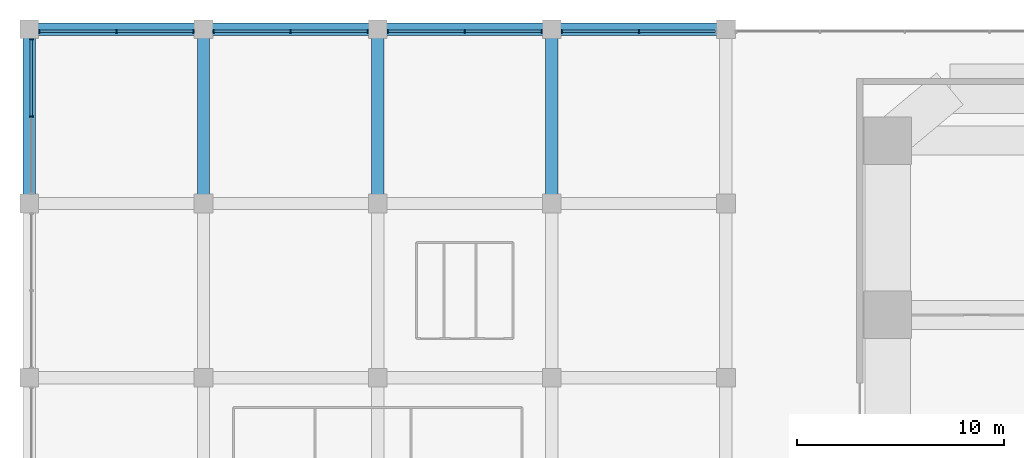
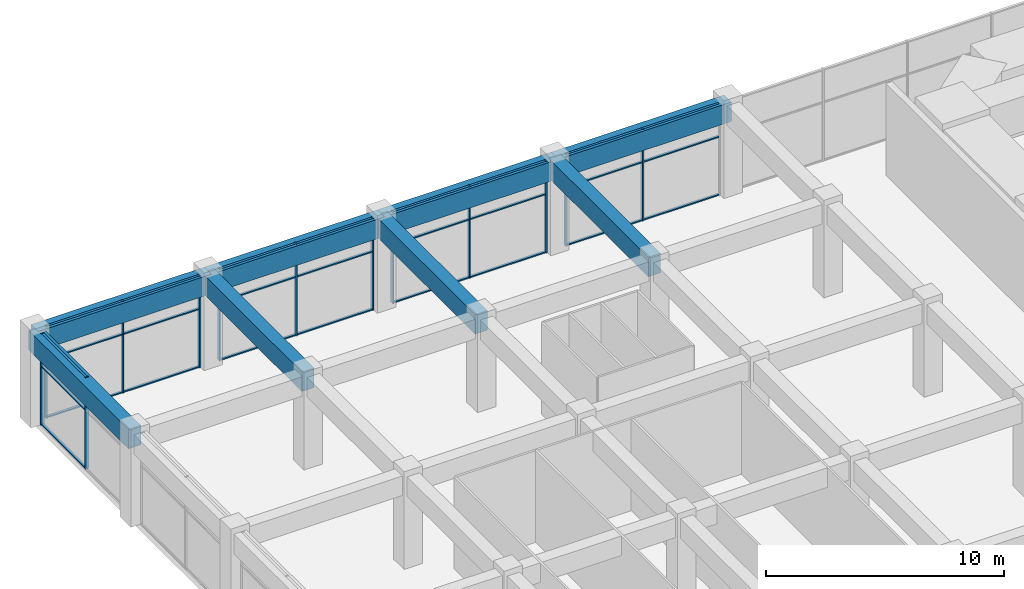
# One storey, part 18 of 36: 40 members, 8 beams, 5 elements without a shape of their own.
"""IFC4 building model written with IfcOpenShell, lengths in metres."""

from ifc_helpers import new_model, si_unit, direction, frame, origin, origin_2d, place, context, subcontext, project, spatial, rectangle, extrude, material, material_profile, profile_set, type_object, element, aggregate, save


model = new_model("IFC4")

# Units and contexts
model_context = context("Model", 3, precision=1e-05, world=origin(), true_north=direction((0.0, 1.0)))
body_context = subcontext(model_context, "Body", "Model", "MODEL_VIEW")
ifc_project = project(units=[si_unit("LENGTHUNIT", "METRE"), si_unit("AREAUNIT", "SQUARE_METRE"), si_unit("VOLUMEUNIT", "CUBIC_METRE"), si_unit("PLANEANGLEUNIT", "RADIAN"), si_unit("MASSUNIT", "GRAM", prefix="KILO")], contexts=[model_context])

# Site, building, storey
site_placement = place(None, origin())
site = spatial("IfcSite", under=ifc_project, at=site_placement, CompositionType="ELEMENT")
building_placement = place(site_placement, origin())
building = spatial("IfcBuilding", under=site, at=building_placement, Name="Impinga Residences", CompositionType="ELEMENT")
storey_placement = place(building_placement, frame((0.0, 0.0, 6.0)))
storey = spatial("IfcBuildingStorey", under=building, at=storey_placement, Name="L01", CompositionType="ELEMENT", Elevation=6.0)

# Curtain wall, members
ifc_material_1 = material(Name="Aluminium stick curtain wall", Category="aluminium")
curtain_wall_type = type_object("IfcCurtainWallType", Name="CW1 podium amenity curtain wall", PredefinedType="USERDEFINED", material=ifc_material_1)
curtain_wall_1_placement = place(storey_placement, origin())
curtain_wall_1 = element("IfcCurtainWall", 1, at=curtain_wall_1_placement, inside=storey, type_object=curtain_wall_type, Name="Curtain wall CW1 L01", ObjectType="STICK CURTAIN WALL", PredefinedType="USERDEFINED")
ifc_material_2 = material(Name="Aluminium mullion", Category="aluminium")
ifc_material_profile_1 = material_profile(ifc_material_2, rectangle(XDim=0.06005859375, YDim=0.179931640625, at=origin_2d()), Name="60x180 mullion")
ifc_profile_set_1 = profile_set([ifc_material_profile_1], Name="Aluminium mullion")
member_type_1 = type_object("IfcMemberType", Name="CW1-M mullion 60x180", PredefinedType="MULLION", material=ifc_profile_set_1)
member_1_placement = place(storey_placement, frame((-50.300048828125, 46.199951171875, 0.0), z_axis=(0.0, 0.0, 1.0), x_axis=(0.0, 1.0, 0.0)))
member_1 = element("IfcMember", 2, at=member_1_placement, type_object=member_type_1, Name="CW1 mullion 2", PredefinedType="MULLION", context=body_context, shape_type="SweptSolid", body=[
    extrude(rectangle(XDim=0.06005859375, YDim=0.179931640625, at=origin_2d()), origin(), (0.0, 0.0, 1.0), 4.699951171875),
])
member_2_placement = place(storey_placement, frame((-50.300048828125, 49.9169921875, 0.0), z_axis=(0.0, 0.0, 1.0), x_axis=(0.0, 1.0, 0.0)))
member_2 = element("IfcMember", 3, at=member_2_placement, type_object=member_type_1, Name="CW1 mullion 3", PredefinedType="MULLION", context=body_context, shape_type="SweptSolid", body=[
    extrude(rectangle(XDim=0.06005859375, YDim=0.179931640625, at=origin_2d()), origin(), (0.0, 0.0, 1.0), 4.699951171875),
])

curtain_wall_2_placement = place(storey_placement, origin())
curtain_wall_2 = element("IfcCurtainWall", 4, at=curtain_wall_2_placement, inside=storey, type_object=curtain_wall_type, Name="Curtain wall CW1 L01", ObjectType="STICK CURTAIN WALL", PredefinedType="USERDEFINED")
member_3_placement = place(storey_placement, frame((-49.9169921875, 50.300048828125, 0.0), z_axis=(0.0, 0.0, 1.0), x_axis=(1.0, 0.0, 0.0)))
member_3 = element("IfcMember", 5, at=member_3_placement, type_object=member_type_1, Name="CW1 mullion 1", PredefinedType="MULLION", context=body_context, shape_type="SweptSolid", body=[
    extrude(rectangle(XDim=0.06005859375, YDim=0.179931640625, at=origin_2d()), origin(), (0.0, 0.0, 1.0), 4.699951171875),
])
member_4_placement = place(storey_placement, frame((-46.199951171875, 50.300048828125, 0.0), z_axis=(0.0, 0.0, 1.0), x_axis=(1.0, 0.0, 0.0)))
member_4 = element("IfcMember", 6, at=member_4_placement, type_object=member_type_1, Name="CW1 mullion 2", PredefinedType="MULLION", context=body_context, shape_type="SweptSolid", body=[
    extrude(rectangle(XDim=0.06005859375, YDim=0.179931640625, at=origin_2d()), origin(), (0.0, 0.0, 1.0), 4.699951171875),
])
member_5_placement = place(storey_placement, frame((-42.48291015625, 50.300048828125, 0.0), z_axis=(0.0, 0.0, 1.0), x_axis=(1.0, 0.0, 0.0)))
member_5 = element("IfcMember", 7, at=member_5_placement, type_object=member_type_1, Name="CW1 mullion 3", PredefinedType="MULLION", context=body_context, shape_type="SweptSolid", body=[
    extrude(rectangle(XDim=0.06005859375, YDim=0.179931640625, at=origin_2d()), origin(), (0.0, 0.0, 1.0), 4.699951171875),
])

curtain_wall_3_placement = place(storey_placement, origin())
curtain_wall_3 = element("IfcCurtainWall", 8, at=curtain_wall_3_placement, inside=storey, type_object=curtain_wall_type, Name="Curtain wall CW1 L01", ObjectType="STICK CURTAIN WALL", PredefinedType="USERDEFINED")
member_6_placement = place(storey_placement, frame((-41.51708984375, 50.300048828125, 0.0), z_axis=(0.0, 0.0, 1.0), x_axis=(1.0, 0.0, 0.0)))
member_6 = element("IfcMember", 9, at=member_6_placement, type_object=member_type_1, Name="CW1 mullion 1", PredefinedType="MULLION", context=body_context, shape_type="SweptSolid", body=[
    extrude(rectangle(XDim=0.06005859375, YDim=0.179931640625, at=origin_2d()), origin(), (0.0, 0.0, 1.0), 4.699951171875),
])
member_7_placement = place(storey_placement, frame((-37.800048828125, 50.300048828125, 0.0), z_axis=(0.0, 0.0, 1.0), x_axis=(1.0, 0.0, 0.0)))
member_7 = element("IfcMember", 10, at=member_7_placement, type_object=member_type_1, Name="CW1 mullion 2", PredefinedType="MULLION", context=body_context, shape_type="SweptSolid", body=[
    extrude(rectangle(XDim=0.06005859375, YDim=0.179931640625, at=origin_2d()), origin(), (0.0, 0.0, 1.0), 4.699951171875),
])
member_8_placement = place(storey_placement, frame((-34.0830078125, 50.300048828125, 0.0), z_axis=(0.0, 0.0, 1.0), x_axis=(1.0, 0.0, 0.0)))
member_8 = element("IfcMember", 11, at=member_8_placement, type_object=member_type_1, Name="CW1 mullion 3", PredefinedType="MULLION", context=body_context, shape_type="SweptSolid", body=[
    extrude(rectangle(XDim=0.06005859375, YDim=0.179931640625, at=origin_2d()), origin(), (0.0, 0.0, 1.0), 4.699951171875),
])

curtain_wall_4_placement = place(storey_placement, origin())
curtain_wall_4 = element("IfcCurtainWall", 12, at=curtain_wall_4_placement, inside=storey, type_object=curtain_wall_type, Name="Curtain wall CW1 L01", ObjectType="STICK CURTAIN WALL", PredefinedType="USERDEFINED")
member_9_placement = place(storey_placement, frame((-33.116943359375, 50.300048828125, 0.0), z_axis=(0.0, 0.0, 1.0), x_axis=(1.0, 0.0, 0.0)))
member_9 = element("IfcMember", 13, at=member_9_placement, type_object=member_type_1, Name="CW1 mullion 1", PredefinedType="MULLION", context=body_context, shape_type="SweptSolid", body=[
    extrude(rectangle(XDim=0.06005859375, YDim=0.179931640625, at=origin_2d()), origin(), (0.0, 0.0, 1.0), 4.699951171875),
])
member_10_placement = place(storey_placement, frame((-29.39990234375, 50.300048828125, 0.0), z_axis=(0.0, 0.0, 1.0), x_axis=(1.0, 0.0, 0.0)))
member_10 = element("IfcMember", 14, at=member_10_placement, type_object=member_type_1, Name="CW1 mullion 2", PredefinedType="MULLION", context=body_context, shape_type="SweptSolid", body=[
    extrude(rectangle(XDim=0.06005859375, YDim=0.179931640625, at=origin_2d()), origin(), (0.0, 0.0, 1.0), 4.699951171875),
])
member_11_placement = place(storey_placement, frame((-25.68310546875, 50.300048828125, 0.0), z_axis=(0.0, 0.0, 1.0), x_axis=(1.0, 0.0, 0.0)))
member_11 = element("IfcMember", 15, at=member_11_placement, type_object=member_type_1, Name="CW1 mullion 3", PredefinedType="MULLION", context=body_context, shape_type="SweptSolid", body=[
    extrude(rectangle(XDim=0.06005859375, YDim=0.179931640625, at=origin_2d()), origin(), (0.0, 0.0, 1.0), 4.699951171875),
])

curtain_wall_5_placement = place(storey_placement, origin())
curtain_wall_5 = element("IfcCurtainWall", 16, at=curtain_wall_5_placement, inside=storey, type_object=curtain_wall_type, Name="Curtain wall CW1 L01", ObjectType="STICK CURTAIN WALL", PredefinedType="USERDEFINED")
member_12_placement = place(storey_placement, frame((-24.717041015625, 50.300048828125, 0.0), z_axis=(0.0, 0.0, 1.0), x_axis=(1.0, 0.0, 0.0)))
member_12 = element("IfcMember", 17, at=member_12_placement, type_object=member_type_1, Name="CW1 mullion 1", PredefinedType="MULLION", context=body_context, shape_type="SweptSolid", body=[
    extrude(rectangle(XDim=0.06005859375, YDim=0.179931640625, at=origin_2d()), origin(), (0.0, 0.0, 1.0), 4.699951171875),
])
member_13_placement = place(storey_placement, frame((-21.0, 50.300048828125, 0.0), z_axis=(0.0, 0.0, 1.0), x_axis=(1.0, 0.0, 0.0)))
member_13 = element("IfcMember", 18, at=member_13_placement, type_object=member_type_1, Name="CW1 mullion 2", PredefinedType="MULLION", context=body_context, shape_type="SweptSolid", body=[
    extrude(rectangle(XDim=0.06005859375, YDim=0.179931640625, at=origin_2d()), origin(), (0.0, 0.0, 1.0), 4.699951171875),
])

# Member
ifc_material_3 = material(Name="Aluminium transom", Category="aluminium")
ifc_material_profile_2 = material_profile(ifc_material_3, rectangle(XDim=0.06005859375, YDim=0.1201171875, at=origin_2d()), Name="60x120 transom")
ifc_profile_set_2 = profile_set([ifc_material_profile_2], Name="Aluminium transom")
member_type_2 = type_object("IfcMemberType", Name="CW1-T transom 60x120", PredefinedType="USERDEFINED", material=ifc_profile_set_2)
member_14_placement = place(storey_placement, frame((-50.300048828125, 46.22998046875, 0.030029296875), z_axis=(0.0, 1.0, 0.0), x_axis=(0.0, 0.0, 1.0)))
member_14 = element("IfcMember", 19, at=member_14_placement, type_object=member_type_2, Name="CW1 transom 2.1", ObjectType="TRANSOM", PredefinedType="USERDEFINED", context=body_context, shape_type="SweptSolid", body=[
    extrude(rectangle(XDim=0.06005859375, YDim=0.1201171875, at=origin_2d()), origin(), (0.0, 0.0, 1.0), 3.656982421875),
])

member_15_placement = place(storey_placement, frame((-50.300048828125, 46.22998046875, 3.0), z_axis=(0.0, 1.0, 0.0), x_axis=(0.0, 0.0, 1.0)))
member_15 = element("IfcMember", 20, at=member_15_placement, type_object=member_type_2, Name="CW1 transom 2.2", ObjectType="TRANSOM", PredefinedType="USERDEFINED", context=body_context, shape_type="SweptSolid", body=[
    extrude(rectangle(XDim=0.06005859375, YDim=0.1201171875, at=origin_2d()), origin(), (0.0, 0.0, 1.0), 3.656982421875),
])

member_16_placement = place(storey_placement, frame((-50.300048828125, 46.22998046875, 4.669921875), z_axis=(0.0, 1.0, 0.0), x_axis=(0.0, 0.0, 1.0)))
member_16 = element("IfcMember", 21, at=member_16_placement, type_object=member_type_2, Name="CW1 transom 2.3", ObjectType="TRANSOM", PredefinedType="USERDEFINED", context=body_context, shape_type="SweptSolid", body=[
    extrude(rectangle(XDim=0.06005859375, YDim=0.1201171875, at=origin_2d()), origin(), (0.0, 0.0, 1.0), 3.656982421875),
])

aggregate(curtain_wall_1, [member_1, member_2, member_14, member_15, member_16])

member_17_placement = place(storey_placement, frame((-49.886962890625, 50.300048828125, 0.030029296875), z_axis=(1.0, 0.0, 0.0), x_axis=(0.0, 0.0, 1.0)))
member_17 = element("IfcMember", 22, at=member_17_placement, type_object=member_type_2, Name="CW1 transom 1.1", ObjectType="TRANSOM", PredefinedType="USERDEFINED", context=body_context, shape_type="SweptSolid", body=[
    extrude(rectangle(XDim=0.06005859375, YDim=0.1201171875, at=origin_2d()), origin(), (0.0, 0.0, 1.0), 3.656982421875),
])

member_18_placement = place(storey_placement, frame((-49.886962890625, 50.300048828125, 3.0), z_axis=(1.0, 0.0, 0.0), x_axis=(0.0, 0.0, 1.0)))
member_18 = element("IfcMember", 23, at=member_18_placement, type_object=member_type_2, Name="CW1 transom 1.2", ObjectType="TRANSOM", PredefinedType="USERDEFINED", context=body_context, shape_type="SweptSolid", body=[
    extrude(rectangle(XDim=0.06005859375, YDim=0.1201171875, at=origin_2d()), origin(), (0.0, 0.0, 1.0), 3.656982421875),
])

member_19_placement = place(storey_placement, frame((-49.886962890625, 50.300048828125, 4.669921875), z_axis=(1.0, 0.0, 0.0), x_axis=(0.0, 0.0, 1.0)))
member_19 = element("IfcMember", 24, at=member_19_placement, type_object=member_type_2, Name="CW1 transom 1.3", ObjectType="TRANSOM", PredefinedType="USERDEFINED", context=body_context, shape_type="SweptSolid", body=[
    extrude(rectangle(XDim=0.06005859375, YDim=0.1201171875, at=origin_2d()), origin(), (0.0, 0.0, 1.0), 3.656982421875),
])

member_20_placement = place(storey_placement, frame((-46.169921875, 50.300048828125, 0.030029296875), z_axis=(1.0, 0.0, 0.0), x_axis=(0.0, 0.0, 1.0)))
member_20 = element("IfcMember", 25, at=member_20_placement, type_object=member_type_2, Name="CW1 transom 2.1", ObjectType="TRANSOM", PredefinedType="USERDEFINED", context=body_context, shape_type="SweptSolid", body=[
    extrude(rectangle(XDim=0.06005859375, YDim=0.1201171875, at=origin_2d()), origin(), (0.0, 0.0, 1.0), 3.656982421875),
])

member_21_placement = place(storey_placement, frame((-46.169921875, 50.300048828125, 3.0), z_axis=(1.0, 0.0, 0.0), x_axis=(0.0, 0.0, 1.0)))
member_21 = element("IfcMember", 26, at=member_21_placement, type_object=member_type_2, Name="CW1 transom 2.2", ObjectType="TRANSOM", PredefinedType="USERDEFINED", context=body_context, shape_type="SweptSolid", body=[
    extrude(rectangle(XDim=0.06005859375, YDim=0.1201171875, at=origin_2d()), origin(), (0.0, 0.0, 1.0), 3.656982421875),
])

member_22_placement = place(storey_placement, frame((-46.169921875, 50.300048828125, 4.669921875), z_axis=(1.0, 0.0, 0.0), x_axis=(0.0, 0.0, 1.0)))
member_22 = element("IfcMember", 27, at=member_22_placement, type_object=member_type_2, Name="CW1 transom 2.3", ObjectType="TRANSOM", PredefinedType="USERDEFINED", context=body_context, shape_type="SweptSolid", body=[
    extrude(rectangle(XDim=0.06005859375, YDim=0.1201171875, at=origin_2d()), origin(), (0.0, 0.0, 1.0), 3.656982421875),
])

aggregate(curtain_wall_2, [member_3, member_4, member_5, member_17, member_18, member_19, member_20, member_21, member_22])

member_23_placement = place(storey_placement, frame((-41.487060546875, 50.300048828125, 0.030029296875), z_axis=(1.0, 0.0, 0.0), x_axis=(0.0, 0.0, 1.0)))
member_23 = element("IfcMember", 28, at=member_23_placement, type_object=member_type_2, Name="CW1 transom 1.1", ObjectType="TRANSOM", PredefinedType="USERDEFINED", context=body_context, shape_type="SweptSolid", body=[
    extrude(rectangle(XDim=0.06005859375, YDim=0.1201171875, at=origin_2d()), origin(), (0.0, 0.0, 1.0), 3.656982421875),
])

member_24_placement = place(storey_placement, frame((-41.487060546875, 50.300048828125, 3.0), z_axis=(1.0, 0.0, 0.0), x_axis=(0.0, 0.0, 1.0)))
member_24 = element("IfcMember", 29, at=member_24_placement, type_object=member_type_2, Name="CW1 transom 1.2", ObjectType="TRANSOM", PredefinedType="USERDEFINED", context=body_context, shape_type="SweptSolid", body=[
    extrude(rectangle(XDim=0.06005859375, YDim=0.1201171875, at=origin_2d()), origin(), (0.0, 0.0, 1.0), 3.656982421875),
])

member_25_placement = place(storey_placement, frame((-41.487060546875, 50.300048828125, 4.669921875), z_axis=(1.0, 0.0, 0.0), x_axis=(0.0, 0.0, 1.0)))
member_25 = element("IfcMember", 30, at=member_25_placement, type_object=member_type_2, Name="CW1 transom 1.3", ObjectType="TRANSOM", PredefinedType="USERDEFINED", context=body_context, shape_type="SweptSolid", body=[
    extrude(rectangle(XDim=0.06005859375, YDim=0.1201171875, at=origin_2d()), origin(), (0.0, 0.0, 1.0), 3.656982421875),
])

member_26_placement = place(storey_placement, frame((-37.77001953125, 50.300048828125, 0.030029296875), z_axis=(1.0, 0.0, 0.0), x_axis=(0.0, 0.0, 1.0)))
member_26 = element("IfcMember", 31, at=member_26_placement, type_object=member_type_2, Name="CW1 transom 2.1", ObjectType="TRANSOM", PredefinedType="USERDEFINED", context=body_context, shape_type="SweptSolid", body=[
    extrude(rectangle(XDim=0.06005859375, YDim=0.1201171875, at=origin_2d()), origin(), (0.0, 0.0, 1.0), 3.656982421875),
])

member_27_placement = place(storey_placement, frame((-37.77001953125, 50.300048828125, 3.0), z_axis=(1.0, 0.0, 0.0), x_axis=(0.0, 0.0, 1.0)))
member_27 = element("IfcMember", 32, at=member_27_placement, type_object=member_type_2, Name="CW1 transom 2.2", ObjectType="TRANSOM", PredefinedType="USERDEFINED", context=body_context, shape_type="SweptSolid", body=[
    extrude(rectangle(XDim=0.06005859375, YDim=0.1201171875, at=origin_2d()), origin(), (0.0, 0.0, 1.0), 3.656982421875),
])

member_28_placement = place(storey_placement, frame((-37.77001953125, 50.300048828125, 4.669921875), z_axis=(1.0, 0.0, 0.0), x_axis=(0.0, 0.0, 1.0)))
member_28 = element("IfcMember", 33, at=member_28_placement, type_object=member_type_2, Name="CW1 transom 2.3", ObjectType="TRANSOM", PredefinedType="USERDEFINED", context=body_context, shape_type="SweptSolid", body=[
    extrude(rectangle(XDim=0.06005859375, YDim=0.1201171875, at=origin_2d()), origin(), (0.0, 0.0, 1.0), 3.656982421875),
])

aggregate(curtain_wall_3, [member_6, member_7, member_8, member_23, member_24, member_25, member_26, member_27, member_28])

member_29_placement = place(storey_placement, frame((-33.0869140625, 50.300048828125, 0.030029296875), z_axis=(1.0, 0.0, 0.0), x_axis=(0.0, 0.0, 1.0)))
member_29 = element("IfcMember", 34, at=member_29_placement, type_object=member_type_2, Name="CW1 transom 1.1", ObjectType="TRANSOM", PredefinedType="USERDEFINED", context=body_context, shape_type="SweptSolid", body=[
    extrude(rectangle(XDim=0.06005859375, YDim=0.1201171875, at=origin_2d()), origin(), (0.0, 0.0, 1.0), 3.656982421875),
])

member_30_placement = place(storey_placement, frame((-33.0869140625, 50.300048828125, 3.0), z_axis=(1.0, 0.0, 0.0), x_axis=(0.0, 0.0, 1.0)))
member_30 = element("IfcMember", 35, at=member_30_placement, type_object=member_type_2, Name="CW1 transom 1.2", ObjectType="TRANSOM", PredefinedType="USERDEFINED", context=body_context, shape_type="SweptSolid", body=[
    extrude(rectangle(XDim=0.06005859375, YDim=0.1201171875, at=origin_2d()), origin(), (0.0, 0.0, 1.0), 3.656982421875),
])

member_31_placement = place(storey_placement, frame((-33.0869140625, 50.300048828125, 4.669921875), z_axis=(1.0, 0.0, 0.0), x_axis=(0.0, 0.0, 1.0)))
member_31 = element("IfcMember", 36, at=member_31_placement, type_object=member_type_2, Name="CW1 transom 1.3", ObjectType="TRANSOM", PredefinedType="USERDEFINED", context=body_context, shape_type="SweptSolid", body=[
    extrude(rectangle(XDim=0.06005859375, YDim=0.1201171875, at=origin_2d()), origin(), (0.0, 0.0, 1.0), 3.656982421875),
])

member_32_placement = place(storey_placement, frame((-29.3701171875, 50.300048828125, 0.030029296875), z_axis=(1.0, 0.0, 0.0), x_axis=(0.0, 0.0, 1.0)))
member_32 = element("IfcMember", 37, at=member_32_placement, type_object=member_type_2, Name="CW1 transom 2.1", ObjectType="TRANSOM", PredefinedType="USERDEFINED", context=body_context, shape_type="SweptSolid", body=[
    extrude(rectangle(XDim=0.06005859375, YDim=0.1201171875, at=origin_2d()), origin(), (0.0, 0.0, 1.0), 3.6572265625),
])

member_33_placement = place(storey_placement, frame((-29.3701171875, 50.300048828125, 3.0), z_axis=(1.0, 0.0, 0.0), x_axis=(0.0, 0.0, 1.0)))
member_33 = element("IfcMember", 38, at=member_33_placement, type_object=member_type_2, Name="CW1 transom 2.2", ObjectType="TRANSOM", PredefinedType="USERDEFINED", context=body_context, shape_type="SweptSolid", body=[
    extrude(rectangle(XDim=0.06005859375, YDim=0.1201171875, at=origin_2d()), origin(), (0.0, 0.0, 1.0), 3.6572265625),
])

member_34_placement = place(storey_placement, frame((-29.3701171875, 50.300048828125, 4.669921875), z_axis=(1.0, 0.0, 0.0), x_axis=(0.0, 0.0, 1.0)))
member_34 = element("IfcMember", 39, at=member_34_placement, type_object=member_type_2, Name="CW1 transom 2.3", ObjectType="TRANSOM", PredefinedType="USERDEFINED", context=body_context, shape_type="SweptSolid", body=[
    extrude(rectangle(XDim=0.06005859375, YDim=0.1201171875, at=origin_2d()), origin(), (0.0, 0.0, 1.0), 3.6572265625),
])

aggregate(curtain_wall_4, [member_9, member_10, member_11, member_29, member_30, member_31, member_32, member_33, member_34])

member_35_placement = place(storey_placement, frame((-24.68701171875, 50.300048828125, 0.030029296875), z_axis=(1.0, 0.0, 0.0), x_axis=(0.0, 0.0, 1.0)))
member_35 = element("IfcMember", 40, at=member_35_placement, type_object=member_type_2, Name="CW1 transom 1.1", ObjectType="TRANSOM", PredefinedType="USERDEFINED", context=body_context, shape_type="SweptSolid", body=[
    extrude(rectangle(XDim=0.06005859375, YDim=0.1201171875, at=origin_2d()), origin(), (0.0, 0.0, 1.0), 3.656982421875),
])

member_36_placement = place(storey_placement, frame((-24.68701171875, 50.300048828125, 3.0), z_axis=(1.0, 0.0, 0.0), x_axis=(0.0, 0.0, 1.0)))
member_36 = element("IfcMember", 41, at=member_36_placement, type_object=member_type_2, Name="CW1 transom 1.2", ObjectType="TRANSOM", PredefinedType="USERDEFINED", context=body_context, shape_type="SweptSolid", body=[
    extrude(rectangle(XDim=0.06005859375, YDim=0.1201171875, at=origin_2d()), origin(), (0.0, 0.0, 1.0), 3.656982421875),
])

member_37_placement = place(storey_placement, frame((-24.68701171875, 50.300048828125, 4.669921875), z_axis=(1.0, 0.0, 0.0), x_axis=(0.0, 0.0, 1.0)))
member_37 = element("IfcMember", 42, at=member_37_placement, type_object=member_type_2, Name="CW1 transom 1.3", ObjectType="TRANSOM", PredefinedType="USERDEFINED", context=body_context, shape_type="SweptSolid", body=[
    extrude(rectangle(XDim=0.06005859375, YDim=0.1201171875, at=origin_2d()), origin(), (0.0, 0.0, 1.0), 3.656982421875),
])

member_38_placement = place(storey_placement, frame((-20.969970703125, 50.300048828125, 0.030029296875), z_axis=(1.0, 0.0, 0.0), x_axis=(0.0, 0.0, 1.0)))
member_38 = element("IfcMember", 43, at=member_38_placement, type_object=member_type_2, Name="CW1 transom 2.1", ObjectType="TRANSOM", PredefinedType="USERDEFINED", context=body_context, shape_type="SweptSolid", body=[
    extrude(rectangle(XDim=0.06005859375, YDim=0.1201171875, at=origin_2d()), origin(), (0.0, 0.0, 1.0), 3.656982421875),
])

member_39_placement = place(storey_placement, frame((-20.969970703125, 50.300048828125, 3.0), z_axis=(1.0, 0.0, 0.0), x_axis=(0.0, 0.0, 1.0)))
member_39 = element("IfcMember", 44, at=member_39_placement, type_object=member_type_2, Name="CW1 transom 2.2", ObjectType="TRANSOM", PredefinedType="USERDEFINED", context=body_context, shape_type="SweptSolid", body=[
    extrude(rectangle(XDim=0.06005859375, YDim=0.1201171875, at=origin_2d()), origin(), (0.0, 0.0, 1.0), 3.656982421875),
])

member_40_placement = place(storey_placement, frame((-20.969970703125, 50.300048828125, 4.669921875), z_axis=(1.0, 0.0, 0.0), x_axis=(0.0, 0.0, 1.0)))
member_40 = element("IfcMember", 45, at=member_40_placement, type_object=member_type_2, Name="CW1 transom 2.3", ObjectType="TRANSOM", PredefinedType="USERDEFINED", context=body_context, shape_type="SweptSolid", body=[
    extrude(rectangle(XDim=0.06005859375, YDim=0.1201171875, at=origin_2d()), origin(), (0.0, 0.0, 1.0), 3.656982421875),
])

aggregate(curtain_wall_5, [member_12, member_13, member_35, member_36, member_37, member_38, member_39, member_40])

# Beams
ifc_material_4 = material(Name="Concrete C60/75", Category="concrete")
ifc_material_profile_3 = material_profile(ifc_material_4, rectangle(XDim=0.60009765625, YDim=1.0, at=origin_2d()), Name="RC 600x1000")
ifc_profile_set_3 = profile_set([ifc_material_profile_3], Name="Concrete C60/75")
beam_type = type_object("IfcBeamType", Name="PB2 600x1000 podium beam", PredefinedType="BEAM", material=ifc_profile_set_3)
for number, where, z_axis, x_axis, name in (
    (46, (-50.39990234375, 50.39990234375, 4.199951171875), (1.0, 0.0, 0.0), (0.0, 1.0, 0.0), "Beam PB2 M/1-2 level L02"),
    (47, (-42.0, 50.39990234375, 4.199951171875), (1.0, 0.0, 0.0), (0.0, 1.0, 0.0), "Beam PB2 M/2-3 level L02"),
):
    element("IfcBeam", number, at=place(storey_placement, frame(where, z_axis=z_axis, x_axis=x_axis)), inside=storey, type_object=beam_type, Name=name, PredefinedType="BEAM", context=body_context, shape_type="SweptSolid", body=[
        extrude(rectangle(XDim=0.60009765625, YDim=1.0, at=origin_2d()), origin(), (0.0, 0.0, 1.0), 8.39990234375),
    ])
beam_placement = place(storey_placement, frame((-33.60009765625, 50.39990234375, 4.199951171875), z_axis=(1.0, 0.0, 0.0), x_axis=(0.0, 1.0, 0.0)))
element("IfcBeam", 48, at=beam_placement, inside=storey, type_object=beam_type, Name="Beam PB2 M/3-4 level L02", PredefinedType="BEAM", context=body_context, shape_type="SweptSolid", body=[
    extrude(rectangle(XDim=0.60009765625, YDim=1.0, at=origin_2d()), origin(), (0.0, 0.0, 1.0), 8.400146484375),
])
for number, where, z_axis, x_axis, name in (
    (49, (-25.199951171875, 50.39990234375, 4.199951171875), (1.0, 0.0, 0.0), (0.0, 1.0, 0.0), "Beam PB2 M/4-5 level L02"),
    (50, (-50.39990234375, 42.0, 4.199951171875), (0.0, 1.0, 0.0), (-1.0, 0.0, 0.0), "Beam PB2 1/L-M level L02"),
    (51, (-42.0, 42.0, 4.199951171875), (0.0, 1.0, 0.0), (-1.0, 0.0, 0.0), "Beam PB2 2/L-M level L02"),
    (52, (-33.60009765625, 42.0, 4.199951171875), (0.0, 1.0, 0.0), (-1.0, 0.0, 0.0), "Beam PB2 3/L-M level L02"),
    (53, (-25.199951171875, 42.0, 4.199951171875), (0.0, 1.0, 0.0), (-1.0, 0.0, 0.0), "Beam PB2 4/L-M level L02"),
):
    element("IfcBeam", number, at=place(storey_placement, frame(where, z_axis=z_axis, x_axis=x_axis)), inside=storey, type_object=beam_type, Name=name, PredefinedType="BEAM", context=body_context, shape_type="SweptSolid", body=[
        extrude(rectangle(XDim=0.60009765625, YDim=1.0, at=origin_2d()), origin(), (0.0, 0.0, 1.0), 8.39990234375),
    ])

save(model, "model.ifc")
